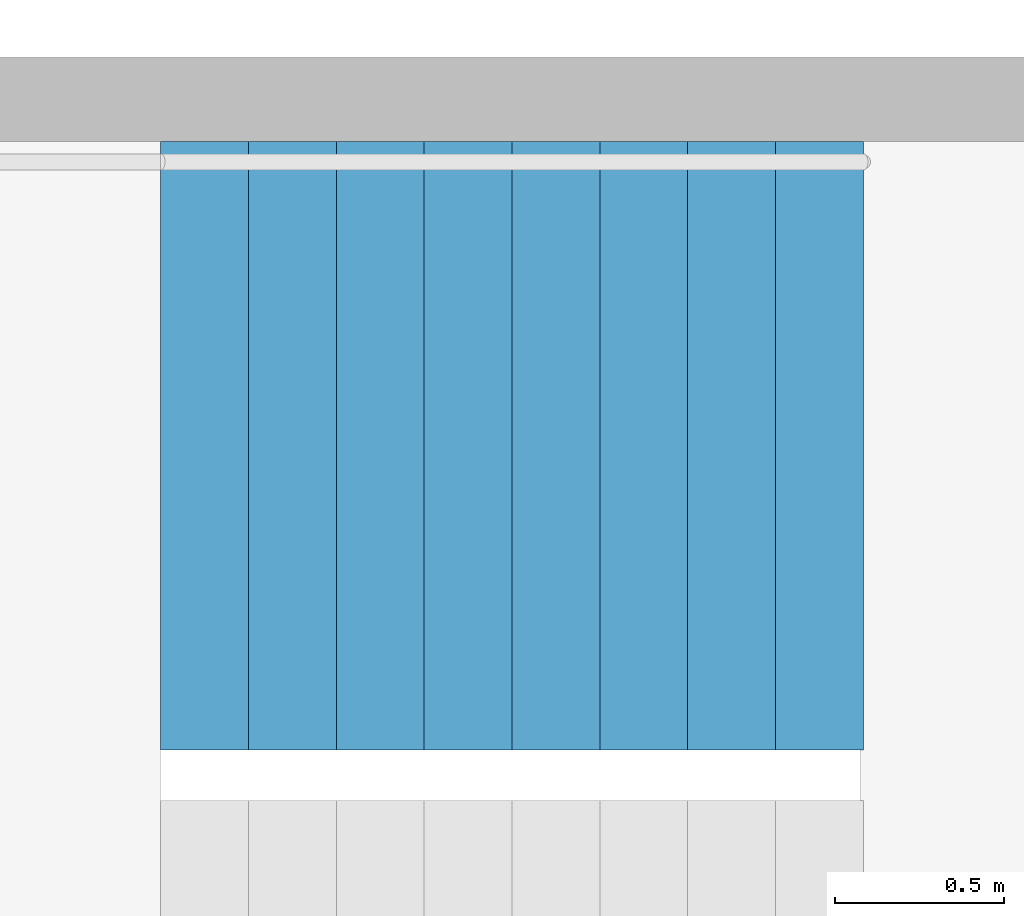
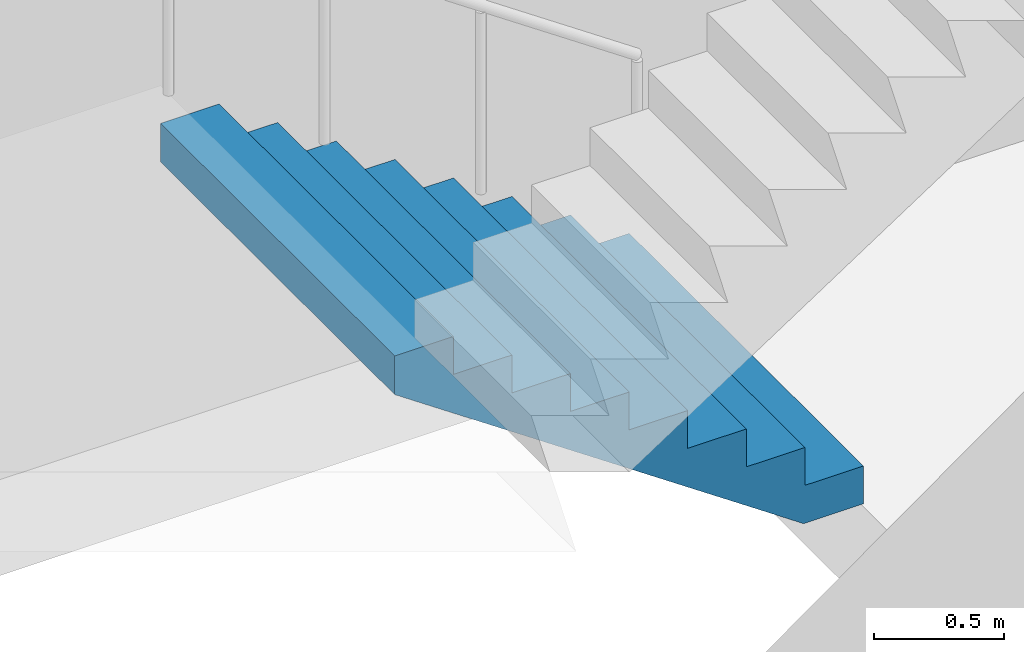
# One storey, part 19 of 30: 1 stair flight, 1 element without a shape of its own.
"""IFC4 building model written with IfcOpenShell, lengths in metres."""

from ifc_helpers import new_model, si_unit, direction, frame, origin, place, context, subcontext, project, spatial, triangles, material, type_object, element, aggregate, save


model = new_model("IFC4")

# Units and contexts
model_context = context("Model", 3, precision=1e-05, world=origin(), true_north=direction((0.0, 1.0)))
body_context = subcontext(model_context, "Body", "Model", "MODEL_VIEW")
ifc_project = project(units=[si_unit("LENGTHUNIT", "METRE"), si_unit("AREAUNIT", "SQUARE_METRE"), si_unit("VOLUMEUNIT", "CUBIC_METRE"), si_unit("PLANEANGLEUNIT", "RADIAN"), si_unit("MASSUNIT", "GRAM", prefix="KILO")], contexts=[model_context])

# Site, building, storey
site_placement = place(None, origin())
site = spatial("IfcSite", under=ifc_project, at=site_placement, CompositionType="ELEMENT")
building_placement = place(site_placement, origin())
building = spatial("IfcBuilding", under=site, at=building_placement, Name="Hakoniwa Tower and Hamabe Station Hall", CompositionType="ELEMENT")
storey_placement = place(building_placement, frame((0.0, 0.0, 245.39990234375)))
storey = spatial("IfcBuildingStorey", under=building, at=storey_placement, Name="L69", CompositionType="ELEMENT", Elevation=245.39990234375)

# Stair, stair flight
ifc_material_1 = material(Name="Concrete C40", Category="concrete")
stair_type = type_object("IfcStairType", Name="ESCAPE STAIR 1800", PredefinedType="HALF_TURN_STAIR", material=ifc_material_1)
stair_placement = place(storey_placement, origin())
stair = element("IfcStair", 1, at=stair_placement, inside=storey, type_object=stair_type, Name="Escape stair ST-2 L69", PredefinedType="HALF_TURN_STAIR")
ifc_material_2 = material(Name="Concrete C40", Category="concrete")
stair_flight_type = type_object("IfcStairFlightType", Name="STAIR FLIGHT 1800", PredefinedType="STRAIGHT", material=ifc_material_2)
stair_flight_placement = place(storey_placement, frame((-23.39990234375, -4.64990234375, 0.0), z_axis=(0.0, 0.0, 1.0), x_axis=(-1.0, 0.0, 0.0)))
stair_flight = element("IfcStairFlight", 2, at=stair_flight_placement, type_object=stair_flight_type, Name="ST-2 flight 1", NumberOfRisers=9, NumberOfTreads=8, PredefinedType="STRAIGHT", RiserHeight=0.177777778, TreadLength=0.26, context=body_context, shape_type="Tessellation", body=[
    triangles([(0.0, 0.89990234375, 0.0), (0.260009765625, 0.89990234375, 0.0), (0.265625, 0.89990234375, 0.0), (0.52001953125, 0.89990234375, 0.174072265625), (0.780029296875, 0.89990234375, 0.351806640625), (1.0400390625, 0.89990234375, 0.529541015625), (1.300048828125, 0.89990234375, 0.707275390625), (1.56005859375, 0.89990234375, 0.885009765625), (1.820068359375, 0.89990234375, 1.062744140625), (2.080078125, 0.89990234375, 1.24072265625), (2.080078125, 0.89990234375, 1.422119140625), (1.820068359375, 0.89990234375, 1.422119140625), (1.820068359375, 0.89990234375, 1.244384765625), (1.56005859375, 0.89990234375, 1.244384765625), (1.56005859375, 0.89990234375, 1.066650390625), (1.300048828125, 0.89990234375, 1.066650390625), (1.300048828125, 0.89990234375, 0.888916015625), (1.0400390625, 0.89990234375, 0.888916015625), (1.0400390625, 0.89990234375, 0.711181640625), (0.780029296875, 0.89990234375, 0.711181640625), (0.780029296875, 0.89990234375, 0.533447265625), (0.52001953125, 0.89990234375, 0.533447265625), (0.52001953125, 0.89990234375, 0.35546875), (0.265625, 0.89990234375, 0.35546875), (0.260009765625, 0.89990234375, 0.35546875), (0.260009765625, 0.89990234375, 0.177734375), (0.0, 0.89990234375, 0.177734375), (0.0, 0.06005859375, 0.0), (0.260009765625, 0.06005859375, 0.0), (0.265625, 0.06005859375, 0.0), (0.52001953125, 0.06005859375, 0.174072265625), (0.780029296875, 0.06005859375, 0.351806640625), (1.0400390625, 0.06005859375, 0.529541015625), (1.300048828125, 0.06005859375, 0.707275390625), (1.56005859375, 0.06005859375, 0.885009765625), (1.820068359375, 0.06005859375, 1.062744140625), (2.080078125, 0.06005859375, 1.24072265625), (2.080078125, 0.06005859375, 1.422119140625), (1.820068359375, 0.06005859375, 1.422119140625), (1.820068359375, 0.06005859375, 1.244384765625), (1.56005859375, 0.06005859375, 1.244384765625), (1.56005859375, 0.06005859375, 1.066650390625), (1.300048828125, 0.06005859375, 1.066650390625), (1.300048828125, 0.06005859375, 0.888916015625), (1.0400390625, 0.06005859375, 0.888916015625), (1.0400390625, 0.06005859375, 0.711181640625), (0.780029296875, 0.06005859375, 0.711181640625), (0.780029296875, 0.06005859375, 0.533447265625), (0.52001953125, 0.06005859375, 0.533447265625), (0.52001953125, 0.06005859375, 0.35546875), (0.265625, 0.06005859375, 0.35546875), (0.260009765625, 0.06005859375, 0.35546875), (0.260009765625, 0.06005859375, 0.177734375), (0.0, 0.06005859375, 0.177734375), (0.0, 0.04296875, 0.0), (0.260009765625, 0.04296875, 0.0), (0.265625, 0.04296875, 0.0), (0.52001953125, 0.04296875, 0.174072265625), (0.780029296875, 0.04296875, 0.351806640625), (1.0400390625, 0.04296875, 0.529541015625), (1.300048828125, 0.04296875, 0.707275390625), (1.56005859375, 0.04296875, 0.885009765625), (1.820068359375, 0.04296875, 1.062744140625), (2.080078125, 0.04296875, 1.24072265625), (2.080078125, 0.04296875, 1.422119140625), (1.820068359375, 0.04296875, 1.422119140625), (1.820068359375, 0.04296875, 1.244384765625), (1.56005859375, 0.04296875, 1.244384765625), (1.56005859375, 0.04296875, 1.066650390625), (1.300048828125, 0.04296875, 1.066650390625), (1.300048828125, 0.04296875, 0.888916015625), (1.0400390625, 0.04296875, 0.888916015625), (1.0400390625, 0.04296875, 0.711181640625), (0.780029296875, 0.04296875, 0.711181640625), (0.780029296875, 0.04296875, 0.533447265625), (0.52001953125, 0.04296875, 0.533447265625), (0.52001953125, 0.04296875, 0.35546875), (0.265625, 0.04296875, 0.35546875), (0.260009765625, 0.04296875, 0.35546875), (0.260009765625, 0.04296875, 0.177734375), (0.0, 0.04296875, 0.177734375), (0.0, 0.025634765625, 0.0), (0.260009765625, 0.025634765625, 0.0), (0.265625, 0.025634765625, 0.0), (0.52001953125, 0.025634765625, 0.174072265625), (0.780029296875, 0.025634765625, 0.351806640625), (1.0400390625, 0.025634765625, 0.529541015625), (1.300048828125, 0.025634765625, 0.707275390625), (1.56005859375, 0.025634765625, 0.885009765625), (1.820068359375, 0.025634765625, 1.062744140625), (2.080078125, 0.025634765625, 1.24072265625), (2.080078125, 0.025634765625, 1.422119140625), (1.820068359375, 0.025634765625, 1.422119140625), (1.820068359375, 0.025634765625, 1.244384765625), (1.56005859375, 0.025634765625, 1.244384765625), (1.56005859375, 0.025634765625, 1.066650390625), (1.300048828125, 0.025634765625, 1.066650390625), (1.300048828125, 0.025634765625, 0.888916015625), (1.0400390625, 0.025634765625, 0.888916015625), (1.0400390625, 0.025634765625, 0.711181640625), (0.780029296875, 0.025634765625, 0.711181640625), (0.780029296875, 0.025634765625, 0.533447265625), (0.52001953125, 0.025634765625, 0.533447265625), (0.52001953125, 0.025634765625, 0.35546875), (0.265625, 0.025634765625, 0.35546875), (0.260009765625, 0.025634765625, 0.35546875), (0.260009765625, 0.025634765625, 0.177734375), (0.0, 0.025634765625, 0.177734375), (0.0, 0.008544921875, 0.0), (0.260009765625, 0.008544921875, 0.0), (0.265625, 0.008544921875, 0.0), (0.52001953125, 0.008544921875, 0.174072265625), (0.780029296875, 0.008544921875, 0.351806640625), (1.0400390625, 0.008544921875, 0.529541015625), (1.300048828125, 0.008544921875, 0.707275390625), (1.56005859375, 0.008544921875, 0.885009765625), (1.820068359375, 0.008544921875, 1.062744140625), (2.080078125, 0.008544921875, 1.24072265625), (2.080078125, 0.008544921875, 1.422119140625), (1.820068359375, 0.008544921875, 1.422119140625), (1.820068359375, 0.008544921875, 1.244384765625), (1.56005859375, 0.008544921875, 1.244384765625), (1.56005859375, 0.008544921875, 1.066650390625), (1.300048828125, 0.008544921875, 1.066650390625), (1.300048828125, 0.008544921875, 0.888916015625), (1.0400390625, 0.008544921875, 0.888916015625), (1.0400390625, 0.008544921875, 0.711181640625), (0.780029296875, 0.008544921875, 0.711181640625), (0.780029296875, 0.008544921875, 0.533447265625), (0.52001953125, 0.008544921875, 0.533447265625), (0.52001953125, 0.008544921875, 0.35546875), (0.265625, 0.008544921875, 0.35546875), (0.260009765625, 0.008544921875, 0.35546875), (0.260009765625, 0.008544921875, 0.177734375), (0.0, 0.008544921875, 0.177734375), (0.0, -0.008544921875, 0.0), (0.260009765625, -0.008544921875, 0.0), (0.265625, -0.008544921875, 0.0), (0.52001953125, -0.008544921875, 0.174072265625), (0.780029296875, -0.008544921875, 0.351806640625), (1.0400390625, -0.008544921875, 0.529541015625), (1.300048828125, -0.008544921875, 0.707275390625), (1.56005859375, -0.008544921875, 0.885009765625), (1.820068359375, -0.008544921875, 1.062744140625), (2.080078125, -0.008544921875, 1.24072265625), (2.080078125, -0.008544921875, 1.422119140625), (1.820068359375, -0.008544921875, 1.422119140625), (1.820068359375, -0.008544921875, 1.244384765625), (1.56005859375, -0.008544921875, 1.244384765625), (1.56005859375, -0.008544921875, 1.066650390625), (1.300048828125, -0.008544921875, 1.066650390625), (1.300048828125, -0.008544921875, 0.888916015625), (1.0400390625, -0.008544921875, 0.888916015625), (1.0400390625, -0.008544921875, 0.711181640625), (0.780029296875, -0.008544921875, 0.711181640625), (0.780029296875, -0.008544921875, 0.533447265625), (0.52001953125, -0.008544921875, 0.533447265625), (0.52001953125, -0.008544921875, 0.35546875), (0.265625, -0.008544921875, 0.35546875), (0.260009765625, -0.008544921875, 0.35546875), (0.260009765625, -0.008544921875, 0.177734375), (0.0, -0.008544921875, 0.177734375), (0.0, -0.025634765625, 0.0), (0.260009765625, -0.025634765625, 0.0), (0.265625, -0.025634765625, 0.0), (0.52001953125, -0.025634765625, 0.174072265625), (0.780029296875, -0.025634765625, 0.351806640625), (1.0400390625, -0.025634765625, 0.529541015625), (1.300048828125, -0.025634765625, 0.707275390625), (1.56005859375, -0.025634765625, 0.885009765625), (1.820068359375, -0.025634765625, 1.062744140625), (2.080078125, -0.025634765625, 1.24072265625), (2.080078125, -0.025634765625, 1.422119140625), (1.820068359375, -0.025634765625, 1.422119140625), (1.820068359375, -0.025634765625, 1.244384765625), (1.56005859375, -0.025634765625, 1.244384765625), (1.56005859375, -0.025634765625, 1.066650390625), (1.300048828125, -0.025634765625, 1.066650390625), (1.300048828125, -0.025634765625, 0.888916015625), (1.0400390625, -0.025634765625, 0.888916015625), (1.0400390625, -0.025634765625, 0.711181640625), (0.780029296875, -0.025634765625, 0.711181640625), (0.780029296875, -0.025634765625, 0.533447265625), (0.52001953125, -0.025634765625, 0.533447265625), (0.52001953125, -0.025634765625, 0.35546875), (0.265625, -0.025634765625, 0.35546875), (0.260009765625, -0.025634765625, 0.35546875), (0.260009765625, -0.025634765625, 0.177734375), (0.0, -0.025634765625, 0.177734375), (0.0, -0.04296875, 0.0), (0.260009765625, -0.04296875, 0.0), (0.265625, -0.04296875, 0.0), (0.52001953125, -0.04296875, 0.174072265625), (0.780029296875, -0.04296875, 0.351806640625), (1.0400390625, -0.04296875, 0.529541015625), (1.300048828125, -0.04296875, 0.707275390625), (1.56005859375, -0.04296875, 0.885009765625), (1.820068359375, -0.04296875, 1.062744140625), (2.080078125, -0.04296875, 1.24072265625), (2.080078125, -0.04296875, 1.422119140625), (1.820068359375, -0.04296875, 1.422119140625), (1.820068359375, -0.04296875, 1.244384765625), (1.56005859375, -0.04296875, 1.244384765625), (1.56005859375, -0.04296875, 1.066650390625), (1.300048828125, -0.04296875, 1.066650390625), (1.300048828125, -0.04296875, 0.888916015625), (1.0400390625, -0.04296875, 0.888916015625), (1.0400390625, -0.04296875, 0.711181640625), (0.780029296875, -0.04296875, 0.711181640625), (0.780029296875, -0.04296875, 0.533447265625), (0.52001953125, -0.04296875, 0.533447265625), (0.52001953125, -0.04296875, 0.35546875), (0.265625, -0.04296875, 0.35546875), (0.260009765625, -0.04296875, 0.35546875), (0.260009765625, -0.04296875, 0.177734375), (0.0, -0.04296875, 0.177734375), (0.0, -0.06005859375, 0.0), (0.260009765625, -0.06005859375, 0.0), (0.265625, -0.06005859375, 0.0), (0.52001953125, -0.06005859375, 0.174072265625), (0.780029296875, -0.06005859375, 0.351806640625), (1.0400390625, -0.06005859375, 0.529541015625), (1.300048828125, -0.06005859375, 0.707275390625), (1.56005859375, -0.06005859375, 0.885009765625), (1.820068359375, -0.06005859375, 1.062744140625), (2.080078125, -0.06005859375, 1.24072265625), (2.080078125, -0.06005859375, 1.422119140625), (1.820068359375, -0.06005859375, 1.422119140625), (1.820068359375, -0.06005859375, 1.244384765625), (1.56005859375, -0.06005859375, 1.244384765625), (1.56005859375, -0.06005859375, 1.066650390625), (1.300048828125, -0.06005859375, 1.066650390625), (1.300048828125, -0.06005859375, 0.888916015625), (1.0400390625, -0.06005859375, 0.888916015625), (1.0400390625, -0.06005859375, 0.711181640625), (0.780029296875, -0.06005859375, 0.711181640625), (0.780029296875, -0.06005859375, 0.533447265625), (0.52001953125, -0.06005859375, 0.533447265625), (0.52001953125, -0.06005859375, 0.35546875), (0.265625, -0.06005859375, 0.35546875), (0.260009765625, -0.06005859375, 0.35546875), (0.260009765625, -0.06005859375, 0.177734375), (0.0, -0.06005859375, 0.177734375), (0.0, -0.89990234375, 0.0), (0.260009765625, -0.89990234375, 0.0), (0.265625, -0.89990234375, 0.0), (0.52001953125, -0.89990234375, 0.174072265625), (0.780029296875, -0.89990234375, 0.351806640625), (1.0400390625, -0.89990234375, 0.529541015625), (1.300048828125, -0.89990234375, 0.707275390625), (1.56005859375, -0.89990234375, 0.885009765625), (1.820068359375, -0.89990234375, 1.062744140625), (2.080078125, -0.89990234375, 1.24072265625), (2.080078125, -0.89990234375, 1.422119140625), (1.820068359375, -0.89990234375, 1.422119140625), (1.820068359375, -0.89990234375, 1.244384765625), (1.56005859375, -0.89990234375, 1.244384765625), (1.56005859375, -0.89990234375, 1.066650390625), (1.300048828125, -0.89990234375, 1.066650390625), (1.300048828125, -0.89990234375, 0.888916015625), (1.0400390625, -0.89990234375, 0.888916015625), (1.0400390625, -0.89990234375, 0.711181640625), (0.780029296875, -0.89990234375, 0.711181640625), (0.780029296875, -0.89990234375, 0.533447265625), (0.52001953125, -0.89990234375, 0.533447265625), (0.52001953125, -0.89990234375, 0.35546875), (0.265625, -0.89990234375, 0.35546875), (0.260009765625, -0.89990234375, 0.35546875), (0.260009765625, -0.89990234375, 0.177734375), (0.0, -0.89990234375, 0.177734375)], [[2, 27, 26], [245, 269, 270], [2, 1, 27], [245, 270, 244], [3, 25, 24], [246, 267, 268], [3, 26, 25], [246, 268, 269], [3, 2, 26], [246, 269, 245], [4, 24, 23], [247, 266, 267], [4, 3, 24], [247, 267, 246], [5, 22, 21], [248, 264, 265], [5, 23, 22], [248, 265, 266], [5, 4, 23], [248, 266, 247], [6, 20, 19], [249, 262, 263], [6, 21, 20], [249, 263, 264], [6, 5, 21], [249, 264, 248], [7, 18, 17], [250, 260, 261], [7, 19, 18], [250, 261, 262], [7, 6, 19], [250, 262, 249], [8, 16, 15], [251, 258, 259], [8, 17, 16], [251, 259, 260], [8, 7, 17], [251, 260, 250], [9, 14, 13], [252, 256, 257], [9, 15, 14], [252, 257, 258], [9, 8, 15], [252, 258, 251], [10, 12, 11], [253, 254, 255], [10, 13, 12], [253, 255, 256], [10, 9, 13], [253, 256, 252], [1, 2, 29], [1, 29, 28], [28, 29, 56], [28, 56, 55], [55, 56, 83], [55, 83, 82], [82, 83, 110], [82, 110, 109], [109, 110, 137], [109, 137, 136], [136, 137, 164], [136, 164, 163], [163, 164, 191], [163, 191, 190], [190, 191, 218], [190, 218, 217], [217, 218, 245], [217, 245, 244], [2, 3, 30], [2, 30, 29], [29, 30, 57], [29, 57, 56], [56, 57, 84], [56, 84, 83], [83, 84, 111], [83, 111, 110], [110, 111, 138], [110, 138, 137], [137, 138, 165], [137, 165, 164], [164, 165, 192], [164, 192, 191], [191, 192, 219], [191, 219, 218], [218, 219, 246], [218, 246, 245], [3, 4, 31], [3, 31, 30], [30, 31, 58], [30, 58, 57], [57, 58, 85], [57, 85, 84], [84, 85, 112], [84, 112, 111], [111, 112, 139], [111, 139, 138], [138, 139, 166], [138, 166, 165], [165, 166, 193], [165, 193, 192], [192, 193, 220], [192, 220, 219], [219, 220, 247], [219, 247, 246], [4, 5, 32], [4, 32, 31], [31, 32, 59], [31, 59, 58], [58, 59, 86], [58, 86, 85], [85, 86, 113], [85, 113, 112], [112, 113, 140], [112, 140, 139], [139, 140, 167], [139, 167, 166], [166, 167, 194], [166, 194, 193], [193, 194, 221], [193, 221, 220], [220, 221, 248], [220, 248, 247], [5, 6, 33], [5, 33, 32], [32, 33, 60], [32, 60, 59], [59, 60, 87], [59, 87, 86], [86, 87, 114], [86, 114, 113], [113, 114, 141], [113, 141, 140], [140, 141, 168], [140, 168, 167], [167, 168, 195], [167, 195, 194], [194, 195, 222], [194, 222, 221], [221, 222, 249], [221, 249, 248], [6, 7, 34], [6, 34, 33], [33, 34, 61], [33, 61, 60], [60, 61, 88], [60, 88, 87], [87, 88, 115], [87, 115, 114], [114, 115, 142], [114, 142, 141], [141, 142, 169], [141, 169, 168], [168, 169, 196], [168, 196, 195], [195, 196, 223], [195, 223, 222], [222, 223, 250], [222, 250, 249], [7, 8, 35], [7, 35, 34], [34, 35, 62], [34, 62, 61], [61, 62, 89], [61, 89, 88], [88, 89, 116], [88, 116, 115], [115, 116, 143], [115, 143, 142], [142, 143, 170], [142, 170, 169], [169, 170, 197], [169, 197, 196], [196, 197, 224], [196, 224, 223], [223, 224, 251], [223, 251, 250], [8, 9, 36], [8, 36, 35], [35, 36, 63], [35, 63, 62], [62, 63, 90], [62, 90, 89], [89, 90, 117], [89, 117, 116], [116, 117, 144], [116, 144, 143], [143, 144, 171], [143, 171, 170], [170, 171, 198], [170, 198, 197], [197, 198, 225], [197, 225, 224], [224, 225, 252], [224, 252, 251], [9, 10, 37], [9, 37, 36], [36, 37, 64], [36, 64, 63], [63, 64, 91], [63, 91, 90], [90, 91, 118], [90, 118, 117], [117, 118, 145], [117, 145, 144], [144, 145, 172], [144, 172, 171], [171, 172, 199], [171, 199, 198], [198, 199, 226], [198, 226, 225], [225, 226, 253], [225, 253, 252], [10, 11, 38], [10, 38, 37], [37, 38, 65], [37, 65, 64], [64, 65, 92], [64, 92, 91], [91, 92, 119], [91, 119, 118], [118, 119, 146], [118, 146, 145], [145, 146, 173], [145, 173, 172], [172, 173, 200], [172, 200, 199], [199, 200, 227], [199, 227, 226], [226, 227, 254], [226, 254, 253], [11, 12, 39], [11, 39, 38], [38, 39, 66], [38, 66, 65], [65, 66, 93], [65, 93, 92], [92, 93, 120], [92, 120, 119], [119, 120, 147], [119, 147, 146], [146, 147, 174], [146, 174, 173], [173, 174, 201], [173, 201, 200], [200, 201, 228], [200, 228, 227], [227, 228, 255], [227, 255, 254], [12, 13, 40], [12, 40, 39], [39, 40, 67], [39, 67, 66], [66, 67, 94], [66, 94, 93], [93, 94, 121], [93, 121, 120], [120, 121, 148], [120, 148, 147], [147, 148, 175], [147, 175, 174], [174, 175, 202], [174, 202, 201], [201, 202, 229], [201, 229, 228], [228, 229, 256], [228, 256, 255], [13, 14, 41], [13, 41, 40], [40, 41, 68], [40, 68, 67], [67, 68, 95], [67, 95, 94], [94, 95, 122], [94, 122, 121], [121, 122, 149], [121, 149, 148], [148, 149, 176], [148, 176, 175], [175, 176, 203], [175, 203, 202], [202, 203, 230], [202, 230, 229], [229, 230, 257], [229, 257, 256], [14, 15, 42], [14, 42, 41], [41, 42, 69], [41, 69, 68], [68, 69, 96], [68, 96, 95], [95, 96, 123], [95, 123, 122], [122, 123, 150], [122, 150, 149], [149, 150, 177], [149, 177, 176], [176, 177, 204], [176, 204, 203], [203, 204, 231], [203, 231, 230], [230, 231, 258], [230, 258, 257], [15, 16, 43], [15, 43, 42], [42, 43, 70], [42, 70, 69], [69, 70, 97], [69, 97, 96], [96, 97, 124], [96, 124, 123], [123, 124, 151], [123, 151, 150], [150, 151, 178], [150, 178, 177], [177, 178, 205], [177, 205, 204], [204, 205, 232], [204, 232, 231], [231, 232, 259], [231, 259, 258], [16, 17, 44], [16, 44, 43], [43, 44, 71], [43, 71, 70], [70, 71, 98], [70, 98, 97], [97, 98, 125], [97, 125, 124], [124, 125, 152], [124, 152, 151], [151, 152, 179], [151, 179, 178], [178, 179, 206], [178, 206, 205], [205, 206, 233], [205, 233, 232], [232, 233, 260], [232, 260, 259], [17, 18, 45], [17, 45, 44], [44, 45, 72], [44, 72, 71], [71, 72, 99], [71, 99, 98], [98, 99, 126], [98, 126, 125], [125, 126, 153], [125, 153, 152], [152, 153, 180], [152, 180, 179], [179, 180, 207], [179, 207, 206], [206, 207, 234], [206, 234, 233], [233, 234, 261], [233, 261, 260], [18, 19, 46], [18, 46, 45], [45, 46, 73], [45, 73, 72], [72, 73, 100], [72, 100, 99], [99, 100, 127], [99, 127, 126], [126, 127, 154], [126, 154, 153], [153, 154, 181], [153, 181, 180], [180, 181, 208], [180, 208, 207], [207, 208, 235], [207, 235, 234], [234, 235, 262], [234, 262, 261], [19, 20, 47], [19, 47, 46], [46, 47, 74], [46, 74, 73], [73, 74, 101], [73, 101, 100], [100, 101, 128], [100, 128, 127], [127, 128, 155], [127, 155, 154], [154, 155, 182], [154, 182, 181], [181, 182, 209], [181, 209, 208], [208, 209, 236], [208, 236, 235], [235, 236, 263], [235, 263, 262], [20, 21, 48], [20, 48, 47], [47, 48, 75], [47, 75, 74], [74, 75, 102], [74, 102, 101], [101, 102, 129], [101, 129, 128], [128, 129, 156], [128, 156, 155], [155, 156, 183], [155, 183, 182], [182, 183, 210], [182, 210, 209], [209, 210, 237], [209, 237, 236], [236, 237, 264], [236, 264, 263], [21, 22, 49], [21, 49, 48], [48, 49, 76], [48, 76, 75], [75, 76, 103], [75, 103, 102], [102, 103, 130], [102, 130, 129], [129, 130, 157], [129, 157, 156], [156, 157, 184], [156, 184, 183], [183, 184, 211], [183, 211, 210], [210, 211, 238], [210, 238, 237], [237, 238, 265], [237, 265, 264], [22, 23, 50], [22, 50, 49], [49, 50, 77], [49, 77, 76], [76, 77, 104], [76, 104, 103], [103, 104, 131], [103, 131, 130], [130, 131, 158], [130, 158, 157], [157, 158, 185], [157, 185, 184], [184, 185, 212], [184, 212, 211], [211, 212, 239], [211, 239, 238], [238, 239, 266], [238, 266, 265], [23, 24, 51], [23, 51, 50], [50, 51, 78], [50, 78, 77], [77, 78, 105], [77, 105, 104], [104, 105, 132], [104, 132, 131], [131, 132, 159], [131, 159, 158], [158, 159, 186], [158, 186, 185], [185, 186, 213], [185, 213, 212], [212, 213, 240], [212, 240, 239], [239, 240, 267], [239, 267, 266], [24, 25, 52], [24, 52, 51], [51, 52, 79], [51, 79, 78], [78, 79, 106], [78, 106, 105], [105, 106, 133], [105, 133, 132], [132, 133, 160], [132, 160, 159], [159, 160, 187], [159, 187, 186], [186, 187, 214], [186, 214, 213], [213, 214, 241], [213, 241, 240], [240, 241, 268], [240, 268, 267], [25, 26, 53], [25, 53, 52], [52, 53, 80], [52, 80, 79], [79, 80, 107], [79, 107, 106], [106, 107, 134], [106, 134, 133], [133, 134, 161], [133, 161, 160], [160, 161, 188], [160, 188, 187], [187, 188, 215], [187, 215, 214], [214, 215, 242], [214, 242, 241], [241, 242, 269], [241, 269, 268], [26, 27, 54], [26, 54, 53], [53, 54, 81], [53, 81, 80], [80, 81, 108], [80, 108, 107], [107, 108, 135], [107, 135, 134], [134, 135, 162], [134, 162, 161], [161, 162, 189], [161, 189, 188], [188, 189, 216], [188, 216, 215], [215, 216, 243], [215, 243, 242], [242, 243, 270], [242, 270, 269], [27, 1, 28], [27, 28, 54], [54, 28, 55], [54, 55, 81], [81, 55, 82], [81, 82, 108], [108, 82, 109], [108, 109, 135], [135, 109, 136], [135, 136, 162], [162, 136, 163], [162, 163, 189], [189, 163, 190], [189, 190, 216], [216, 190, 217], [216, 217, 243], [243, 217, 244], [243, 244, 270]], closed=True),
])
aggregate(stair, [stair_flight])

save(model, "model.ifc")
